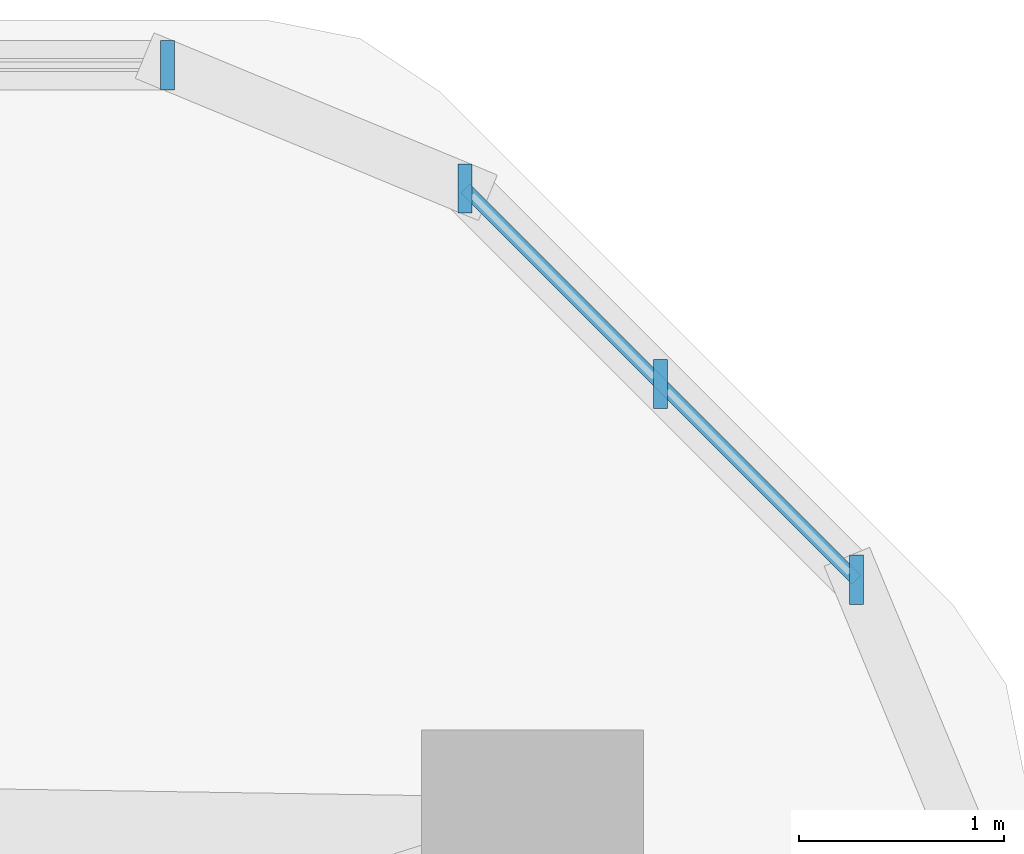
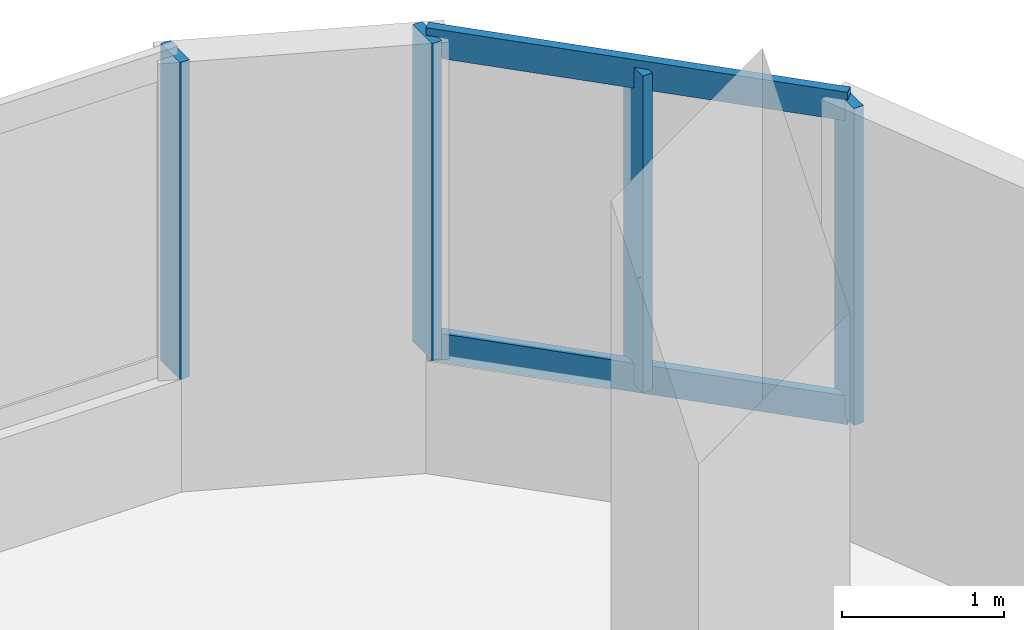
# One storey, part 11 of 21: 6 members, 2 elements without a shape of their own.
"""IFC4 building model written with IfcOpenShell, lengths in metres."""

from ifc_helpers import new_model, si_unit, derived_unit, direction, frame, origin, origin_2d, place, context, subcontext, project, spatial, rectangle, extrude, material, material_profile, profile_set, type_object, element, aggregate, save


model = new_model("IFC4")

# Units and contexts
model_context = context("Model", 3, precision=1e-05, world=origin(), true_north=direction((0.0, 1.0)))
body_context = subcontext(model_context, "Body", "Model", "MODEL_VIEW")
ifc_project = project(units=[si_unit("LENGTHUNIT", "METRE"), si_unit("AREAUNIT", "SQUARE_METRE"), si_unit("VOLUMEUNIT", "CUBIC_METRE"), si_unit("PLANEANGLEUNIT", "RADIAN"), si_unit("MASSUNIT", "GRAM", prefix="KILO"), derived_unit("THERMALTRANSMITTANCEUNIT", [(si_unit("POWERUNIT", "WATT"), 1), (si_unit("LENGTHUNIT", "METRE"), -2), (si_unit("THERMODYNAMICTEMPERATUREUNIT", "KELVIN"), -1)])], contexts=[model_context])

# Site, building, storey
site_placement = place(None, origin())
site = spatial("IfcSite", under=ifc_project, at=site_placement, CompositionType="ELEMENT")
building_placement = place(site_placement, origin())
building = spatial("IfcBuilding", under=site, at=building_placement, Name="Koralith Skygarden Medical Center", CompositionType="ELEMENT")
storey_placement = place(building_placement, frame((0.0, 0.0, 9.89990234375)))
storey = spatial("IfcBuildingStorey", under=building, at=storey_placement, Name="L02", CompositionType="ELEMENT", Elevation=9.89990234375)

# Curtain wall, members
ifc_material_1 = material(Name="Clear Laminated Glass", Category="glass")
curtain_wall_type = type_object("IfcCurtainWallType", Name="CW-1 Transit & Podium Acoustic Curtain Wall", PredefinedType="NOTDEFINED", material=ifc_material_1)
curtain_wall_1_placement = place(storey_placement, origin())
curtain_wall_1 = element("IfcCurtainWall", 1, at=curtain_wall_1_placement, inside=storey, type_object=curtain_wall_type, Name="Curtain Wall CW-L02-NE", PredefinedType="NOTDEFINED")
ifc_material_2 = material(Name="Aluminium 6063-T6", Category="aluminium")
ifc_material_profile_1 = material_profile(ifc_material_2, rectangle(XDim=0.068115234375, YDim=0.239990234375, at=origin_2d()), Name="MUL68X240")
ifc_profile_set_1 = profile_set([ifc_material_profile_1], Name="Aluminium 6063-T6")
member_type_1 = type_object("IfcMemberType", Name="CW-1 Extruded Mullion 68x240", PredefinedType="MULLION", material=ifc_profile_set_1)
member_1_placement = place(storey_placement, frame((72.97900390625, 48.8720703125, 0.85009765625), z_axis=(0.0, 0.0, 1.0), x_axis=(1.0, 0.0, 0.0)))
member_1 = element("IfcMember", 2, at=member_1_placement, type_object=member_type_1, Name="CW-L02-NE Mullion 1", PredefinedType="MULLION", context=body_context, shape_type="SweptSolid", body=[
    extrude(rectangle(XDim=0.068115234375, YDim=0.239990234375, at=origin_2d()), origin(), (0.0, 0.0, 1.0), 2.389892578125),
])
member_2_placement = place(storey_placement, frame((72.02490234375, 49.825927734375, 0.85009765625), z_axis=(0.0, 0.0, 1.0), x_axis=(1.0, 0.0, 0.0)))
member_2 = element("IfcMember", 3, at=member_2_placement, type_object=member_type_1, Name="CW-L02-NE Mullion 2", PredefinedType="MULLION", context=body_context, shape_type="SweptSolid", body=[
    extrude(rectangle(XDim=0.068115234375, YDim=0.239990234375, at=origin_2d()), origin(), (0.0, 0.0, 1.0), 2.389892578125),
])
member_3_placement = place(storey_placement, frame((71.072021484375, 50.779052734375, 0.85009765625), z_axis=(0.0, 0.0, 1.0), x_axis=(1.0, 0.0, 0.0)))
member_3 = element("IfcMember", 4, at=member_3_placement, type_object=member_type_1, Name="CW-L02-NE Mullion 3", PredefinedType="MULLION", context=body_context, shape_type="SweptSolid", body=[
    extrude(rectangle(XDim=0.068115234375, YDim=0.239990234375, at=origin_2d()), origin(), (0.0, 0.0, 1.0), 2.389892578125),
])

# Curtain wall, member
curtain_wall_2_placement = place(storey_placement, origin())
curtain_wall_2 = element("IfcCurtainWall", 5, at=curtain_wall_2_placement, inside=storey, type_object=curtain_wall_type, Name="Curtain Wall CW-L02-N", PredefinedType="NOTDEFINED")
member_4_placement = place(storey_placement, frame((69.62109375, 51.3798828125, 0.85009765625), z_axis=(0.0, 0.0, 1.0), x_axis=(1.0, 0.0, 0.0)))
member_4 = element("IfcMember", 6, at=member_4_placement, type_object=member_type_1, Name="CW-L02-N Mullion 1", PredefinedType="MULLION", context=body_context, shape_type="SweptSolid", body=[
    extrude(rectangle(XDim=0.068115234375, YDim=0.239990234375, at=origin_2d()), origin(), (0.0, 0.0, 1.0), 2.389892578125),
])
aggregate(curtain_wall_2, [member_4])

# Member
ifc_material_profile_2 = material_profile(ifc_material_2, rectangle(XDim=0.06298828125, YDim=0.216064453125, at=origin_2d()), Name="TRN63X216")
ifc_profile_set_2 = profile_set([ifc_material_profile_2], Name="Aluminium 6063-T6")
member_type_2 = type_object("IfcMemberType", Name="CW-1 Thermal Transom 63x216", PredefinedType="USERDEFINED", material=ifc_profile_set_2)
member_5_placement = place(storey_placement, frame((72.97900390625, 48.8720703125, 0.900146484375), z_axis=(-0.707106781187, 0.707106781187, 0.0), x_axis=(-0.707106781187, -0.707106781187, 0.0)))
member_5 = element("IfcMember", 7, at=member_5_placement, type_object=member_type_2, Name="CW-L02-NE Transom 1", ObjectType="TRANSOM", PredefinedType="USERDEFINED", context=body_context, shape_type="SweptSolid", body=[
    extrude(rectangle(XDim=0.06298828125, YDim=0.216064453125, at=origin_2d()), origin(), (0.0, 0.0, 1.0), 2.69677734375),
])

member_6_placement = place(storey_placement, frame((72.97900390625, 48.8720703125, 3.190185546875), z_axis=(-0.707106781187, 0.707106781187, 0.0), x_axis=(-0.707106781187, -0.707106781187, 0.0)))
member_6 = element("IfcMember", 8, at=member_6_placement, type_object=member_type_2, Name="CW-L02-NE Transom 2", ObjectType="TRANSOM", PredefinedType="USERDEFINED", context=body_context, shape_type="SweptSolid", body=[
    extrude(rectangle(XDim=0.06298828125, YDim=0.216064453125, at=origin_2d()), origin(), (0.0, 0.0, 1.0), 2.69677734375),
])

aggregate(curtain_wall_1, [member_1, member_2, member_3, member_5, member_6])

save(model, "model.ifc")
